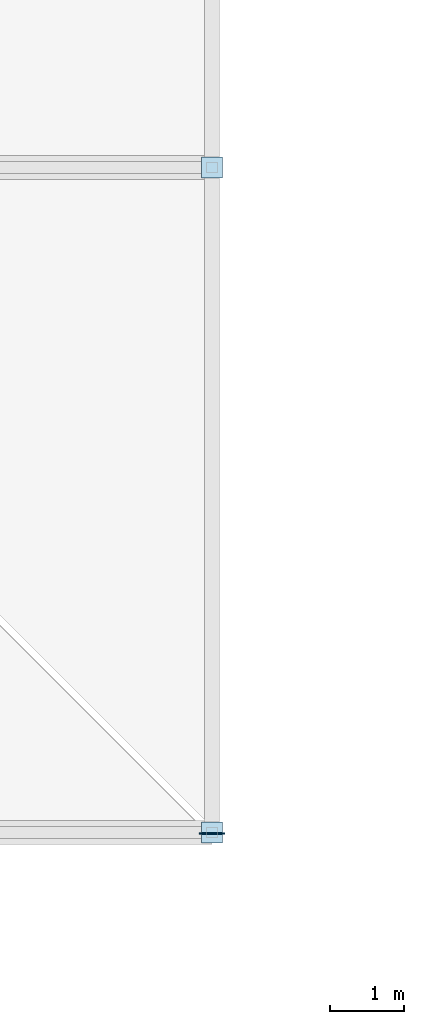
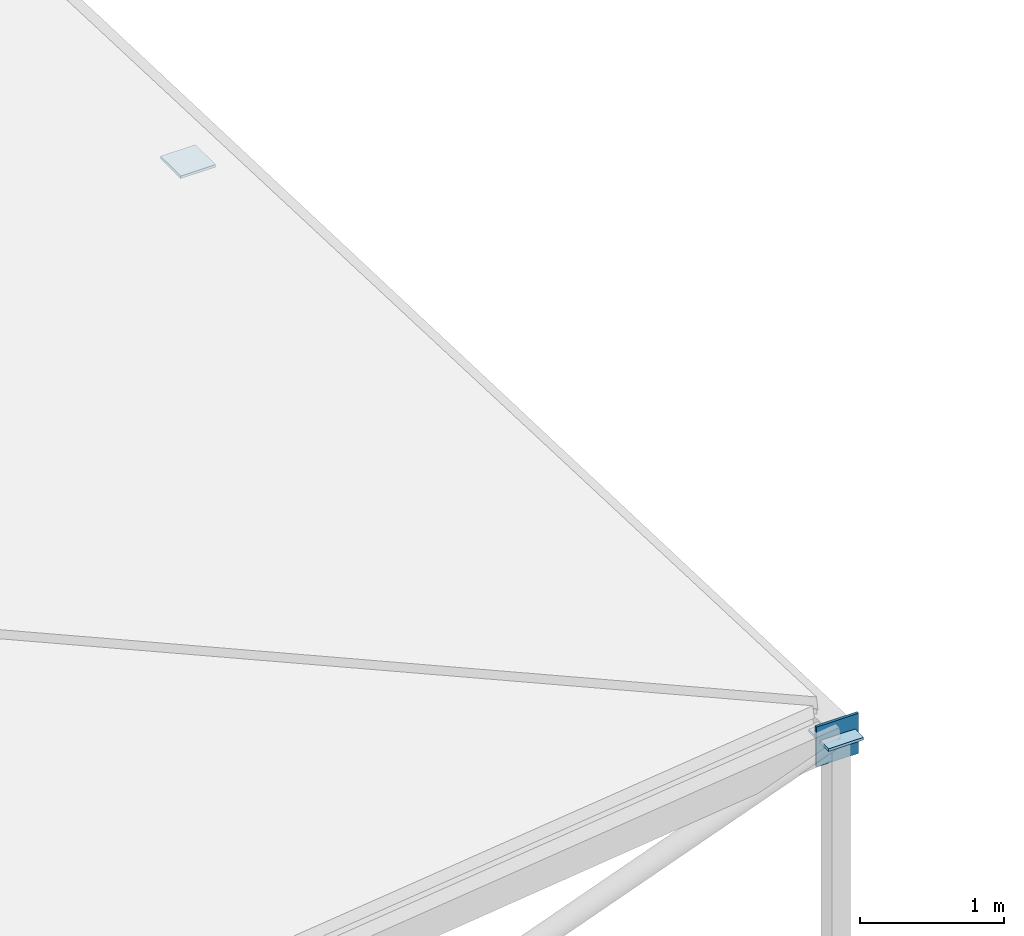
# One storey, part 37 of 44: 3 plates.
"""IFC4 building model written with IfcOpenShell, lengths in metres."""

from ifc_helpers import new_model, si_unit, direction, frame, origin, origin_2d, place, context, subcontext, project, spatial, rectangle, extrude, material, layer, layer_set, type_object, element, save


model = new_model("IFC4")

# Units and contexts
model_context = context("Model", 3, precision=1e-05, world=origin(), true_north=direction((0.0, 1.0)))
body_context = subcontext(model_context, "Body", "Model", "MODEL_VIEW")
ifc_project = project(units=[si_unit("LENGTHUNIT", "METRE"), si_unit("AREAUNIT", "SQUARE_METRE"), si_unit("VOLUMEUNIT", "CUBIC_METRE"), si_unit("PLANEANGLEUNIT", "RADIAN"), si_unit("MASSUNIT", "GRAM", prefix="KILO")], contexts=[model_context])

# Site, building, storey
site_placement = place(None, origin())
site = spatial("IfcSite", under=ifc_project, at=site_placement, CompositionType="ELEMENT")
building_placement = place(site_placement, origin())
building = spatial("IfcBuilding", under=site, at=building_placement, Name="Deido Ridge Mobility Hub", CompositionType="ELEMENT")
storey_placement = place(building_placement, frame((0.0, 0.0, 25.199951171875)))
storey = spatial("IfcBuildingStorey", under=building, at=storey_placement, Name="L06", CompositionType="ELEMENT", Elevation=25.199951171875)

# Plates
ifc_material = material(Name="Steel S355J2 EN 10025-2", Category="steel")
ifc_layer = layer(ifc_material, 0.02197265625, Name="Steel S355J2 EN 10025-2")
ifc_layer_set = layer_set([ifc_layer], Name="Steel S355J2 EN 10025-2")
plate_type = type_object("IfcPlateType", Name="PLT-CAP-22", PredefinedType="USERDEFINED", material=ifc_layer_set)
for number, where, z_axis, x_axis, name in (
    (1, (99.0, 45.0, 2.22412109375), (0.0, 0.0, 1.0), (1.0, 0.0, 0.0), "Hollow member sealed end-cap plate EC2-235"),
    (2, (99.0, 54.0, 1.6240234375), (0.0, 0.0, 1.0), (1.0, 0.0, 0.0), "Hollow member sealed end-cap plate EC2-237"),
):
    element("IfcPlate", number, at=place(storey_placement, frame(where, z_axis=z_axis, x_axis=x_axis)), inside=storey, type_object=plate_type, Name=name, ObjectType="END CAP PLATE", PredefinedType="USERDEFINED", context=body_context, shape_type="SweptSolid", body=[
        extrude(rectangle(XDim=0.280029296875, YDim=0.280029296875, at=origin_2d()), origin(), (0.0, 0.0, 1.0), 0.02197265625),
    ])
plate_placement = place(storey_placement, frame((99.0, 44.988037109375, 2.02978515625), z_axis=(0.0, 0.0, 1.0), x_axis=(1.0, 0.0, 0.0)))
element("IfcPlate", 3, at=plate_placement, inside=storey, type_object=plate_type, Name="Hollow member sealed end-cap plate EC2-245", ObjectType="END CAP PLATE", PredefinedType="USERDEFINED", context=body_context, shape_type="SweptSolid", body=[
    extrude(rectangle(XDim=0.340087890625, YDim=0.02197265625, at=origin_2d()), origin(), (0.0, 0.0, 1.0), 0.340087890625),
])

save(model, "model.ifc")
